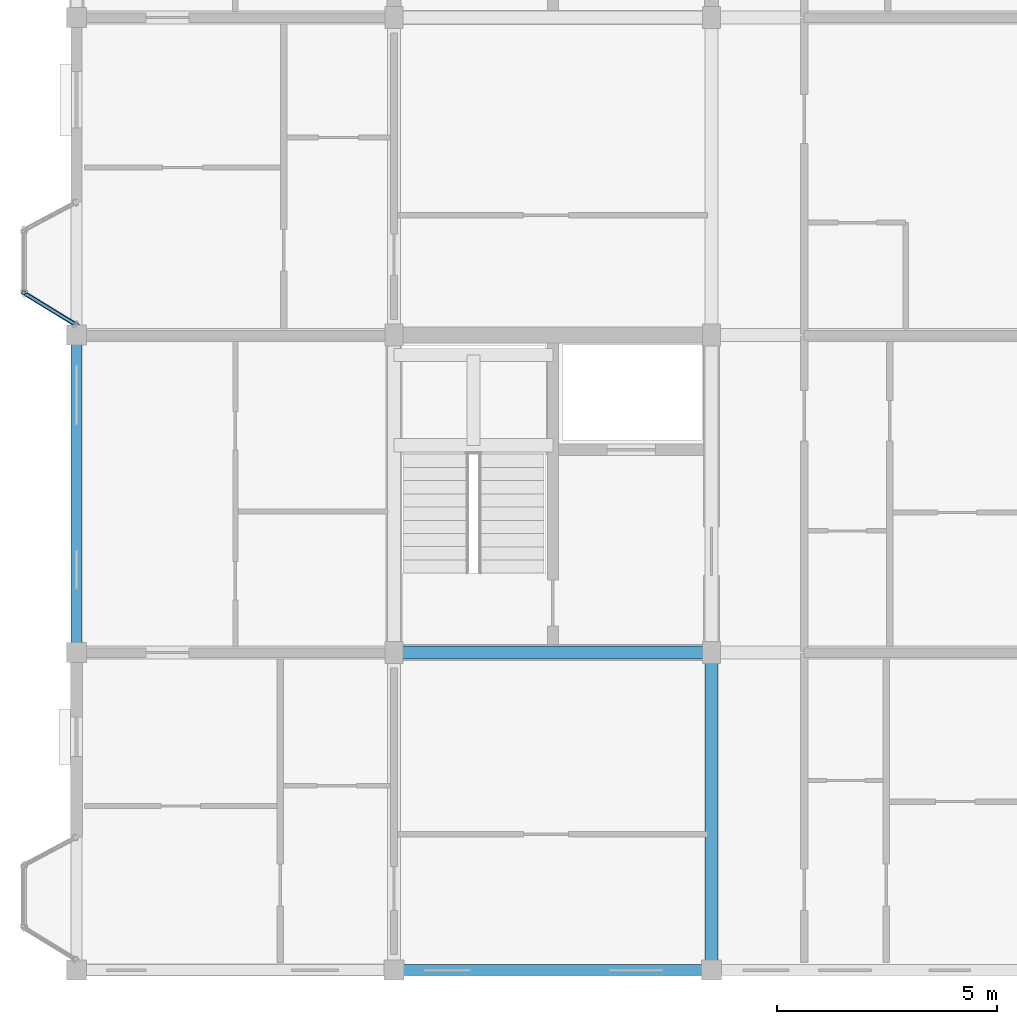
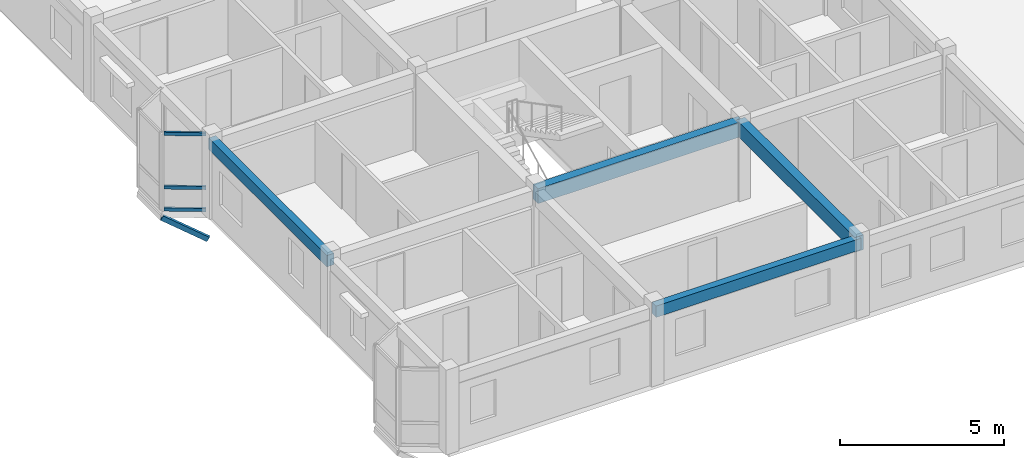
# One storey, part 4 of 40: 4 beams, 4 members, 1 element without a shape of its own.
"""IFC4 building model written with IfcOpenShell, lengths in metres."""

from ifc_helpers import new_model, si_unit, direction, frame, origin, origin_2d, place, context, subcontext, project, spatial, rectangle, hollow_rectangle, extrude, material, layer, layer_set, material_profile, profile_set, type_object, element, aggregate, save


model = new_model("IFC4")

# Units and contexts
model_context = context("Model", 3, precision=1e-05, world=origin(), true_north=direction((0.0, 1.0)))
body_context = subcontext(model_context, "Body", "Model", "MODEL_VIEW")
ifc_project = project(units=[si_unit("LENGTHUNIT", "METRE"), si_unit("AREAUNIT", "SQUARE_METRE"), si_unit("VOLUMEUNIT", "CUBIC_METRE"), si_unit("PLANEANGLEUNIT", "RADIAN"), si_unit("MASSUNIT", "GRAM", prefix="KILO"), si_unit("THERMODYNAMICTEMPERATUREUNIT", "KELVIN"), si_unit("POWERUNIT", "WATT")], contexts=[model_context])

# Site, building, storey
site_placement = place(None, origin())
site = spatial("IfcSite", under=ifc_project, at=site_placement, CompositionType="ELEMENT")
building_placement = place(site_placement, origin())
building = spatial("IfcBuilding", under=site, at=building_placement, Name="Tavuni Mirador Residences", CompositionType="ELEMENT")
storey_placement = place(building_placement, frame((0.0, 0.0, 36.0)))
storey = spatial("IfcBuildingStorey", under=building, at=storey_placement, Name="L11", CompositionType="ELEMENT", Elevation=36.0)

# Beams
ifc_material_1 = material(Name="Precast concrete C40/50", Category="concrete")
ifc_material_profile_1 = material_profile(ifc_material_1, rectangle(XDim=0.300048828125, YDim=0.550048828125, at=origin_2d()), Name="PC 300x550", Category="concrete")
ifc_profile_set_1 = profile_set([ifc_material_profile_1], Name="Precast concrete C40/50")
beam_type_1 = type_object("IfcBeamType", Name="BT-B550", PredefinedType="BEAM", material=ifc_profile_set_1)
for number, where, z_axis, x_axis, name in (
    (1, (10.800048828125, 14.39990234375, 2.594970703125), (1.0, 0.0, 0.0), (0.0, 1.0, 0.0), "BMX-BLK-A-L11-01-01"),
    (2, (18.0, 7.199951171875, 2.594970703125), (0.0, 1.0, 0.0), (-1.0, 0.0, 0.0), "BMY-BLK-A-L11-02-00"),
):
    element("IfcBeam", number, at=place(storey_placement, frame(where, z_axis=z_axis, x_axis=x_axis)), inside=storey, type_object=beam_type_1, Name=name, PredefinedType="BEAM", context=body_context, shape_type="SweptSolid", body=[
        extrude(rectangle(XDim=0.300048828125, YDim=0.550048828125, at=origin_2d()), origin(), (0.0, 0.0, 1.0), 7.199951171875),
    ])
ifc_material_profile_2 = material_profile(ifc_material_1, rectangle(XDim=0.25, YDim=0.419921875, at=origin_2d()), Name="PC 250x420", Category="concrete")
ifc_profile_set_2 = profile_set([ifc_material_profile_2], Name="Precast concrete C40/50")
beam_type_2 = type_object("IfcBeamType", Name="BT-SP420", PredefinedType="SPANDREL", material=ifc_profile_set_2)
beam_1_placement = place(storey_placement, frame((10.800048828125, 7.199951171875, 2.659912109375), z_axis=(1.0, 0.0, 0.0), x_axis=(0.0, 1.0, 0.0)))
element("IfcBeam", 3, at=beam_1_placement, inside=storey, type_object=beam_type_2, Name="BMX-BLK-A-L11-01-00", PredefinedType="SPANDREL", context=body_context, shape_type="SweptSolid", body=[
    extrude(rectangle(XDim=0.25, YDim=0.419921875, at=origin_2d()), origin(), (0.0, 0.0, 1.0), 7.199951171875),
])
beam_2_placement = place(storey_placement, frame((3.60009765625, 14.39990234375, 2.659912109375), z_axis=(0.0, 1.0, 0.0), x_axis=(-1.0, 0.0, 0.0)))
element("IfcBeam", 4, at=beam_2_placement, inside=storey, type_object=beam_type_2, Name="BMY-BLK-A-L11-00-01", PredefinedType="SPANDREL", context=body_context, shape_type="SweptSolid", body=[
    extrude(rectangle(XDim=0.25, YDim=0.419921875, at=origin_2d()), origin(), (0.0, 0.0, 1.0), 7.2001953125),
])

# Curtain wall, members
ifc_material_2 = material(Name="Anodised aluminium", Category="aluminium")
ifc_layer = layer(ifc_material_2, 0.14990234375, Name="Anodised aluminium", Category="aluminium")
ifc_layer_set = layer_set([ifc_layer], Name="Anodised aluminium")
curtain_wall_type = type_object("IfcCurtainWallType", Name="CWT-MIR-B", PredefinedType="NOTDEFINED", material=ifc_layer_set)
curtain_wall_placement = place(storey_placement, origin())
curtain_wall = element("IfcCurtainWall", 5, at=curtain_wall_placement, inside=storey, type_object=curtain_wall_type, Name="CW-MIR-A-W2-L11-M2", PredefinedType="NOTDEFINED")
ifc_material_profile_3 = material_profile(ifc_material_2, hollow_rectangle(XDim=0.06494140625, YDim=0.125, WallThickness=0.00439453125, at=origin_2d()), Name="ALU 65x125x4.5", Category="aluminium")
ifc_profile_set_3 = profile_set([ifc_material_profile_3], Name="Anodised aluminium")
member_type_1 = type_object("IfcMemberType", Name="CWT-125", PredefinedType="USERDEFINED", material=ifc_profile_set_3)
member_1_placement = place(storey_placement, frame((2.455322265625, 22.526123046875, 0.032470703125), z_axis=(0.852752286759, -0.522315553499, 0.0), x_axis=(0.522315553499, 0.852752286759, 0.0)))
member_1 = element("IfcMember", 6, at=member_1_placement, type_object=member_type_1, Name="CW-02 transom 1.1", ObjectType="TRANSOM", PredefinedType="USERDEFINED", context=body_context, shape_type="SweptSolid", body=[
    extrude(hollow_rectangle(XDim=0.06494140625, YDim=0.125, WallThickness=0.00439453125, at=origin_2d()), origin(), (0.0, 0.0, 1.0), 1.27734375),
])
member_2_placement = place(storey_placement, frame((2.455322265625, 22.526123046875, 0.85009765625), z_axis=(0.852752286759, -0.522315553499, 0.0), x_axis=(0.522315553499, 0.852752286759, 0.0)))
member_2 = element("IfcMember", 7, at=member_2_placement, type_object=member_type_1, Name="CW-02 transom 1.2", ObjectType="TRANSOM", PredefinedType="USERDEFINED", context=body_context, shape_type="SweptSolid", body=[
    extrude(hollow_rectangle(XDim=0.06494140625, YDim=0.125, WallThickness=0.00439453125, at=origin_2d()), origin(), (0.0, 0.0, 1.0), 1.27734375),
])
member_3_placement = place(storey_placement, frame((2.455322265625, 22.526123046875, 2.83740234375), z_axis=(0.852752286759, -0.522315553499, 0.0), x_axis=(0.522315553499, 0.852752286759, 0.0)))
member_3 = element("IfcMember", 8, at=member_3_placement, type_object=member_type_1, Name="CW-02 transom 1.3", ObjectType="TRANSOM", PredefinedType="USERDEFINED", context=body_context, shape_type="SweptSolid", body=[
    extrude(hollow_rectangle(XDim=0.06494140625, YDim=0.125, WallThickness=0.00439453125, at=origin_2d()), origin(), (0.0, 0.0, 1.0), 1.27734375),
])
aggregate(curtain_wall, [member_1, member_2, member_3])

# Member
ifc_material_3 = material(Name="Structural steel S355", Category="steel")
ifc_material_profile_4 = material_profile(ifc_material_3, hollow_rectangle(XDim=0.10009765625, YDim=0.179931640625, WallThickness=0.008056640625, at=origin_2d()), Name="RHS 180x100x8.0", Category="steel")
ifc_profile_set_4 = profile_set([ifc_material_profile_4], Name="Structural steel S355")
member_type_2 = type_object("IfcMemberType", Name="MT-BR-RHS180", PredefinedType="BRACE", material=ifc_profile_set_4)
member_4_placement = place(storey_placement, frame((3.60009765625, 21.824951171875, -1.050048828125), z_axis=(-0.748111041241, 0.45821040382, 0.479971973978), x_axis=(-0.522305771944, -0.852758277939, 0.0)))
element("IfcMember", 9, at=member_4_placement, inside=storey, type_object=member_type_2, Name="MBRK-MIR-A-W2-L11-1", PredefinedType="BRACE", context=body_context, shape_type="SweptSolid", body=[
    extrude(hollow_rectangle(XDim=0.10009765625, YDim=0.179931640625, WallThickness=0.008056640625, at=origin_2d()), origin(), (0.0, 0.0, 1.0), 1.604248046875),
])

save(model, "model.ifc")
